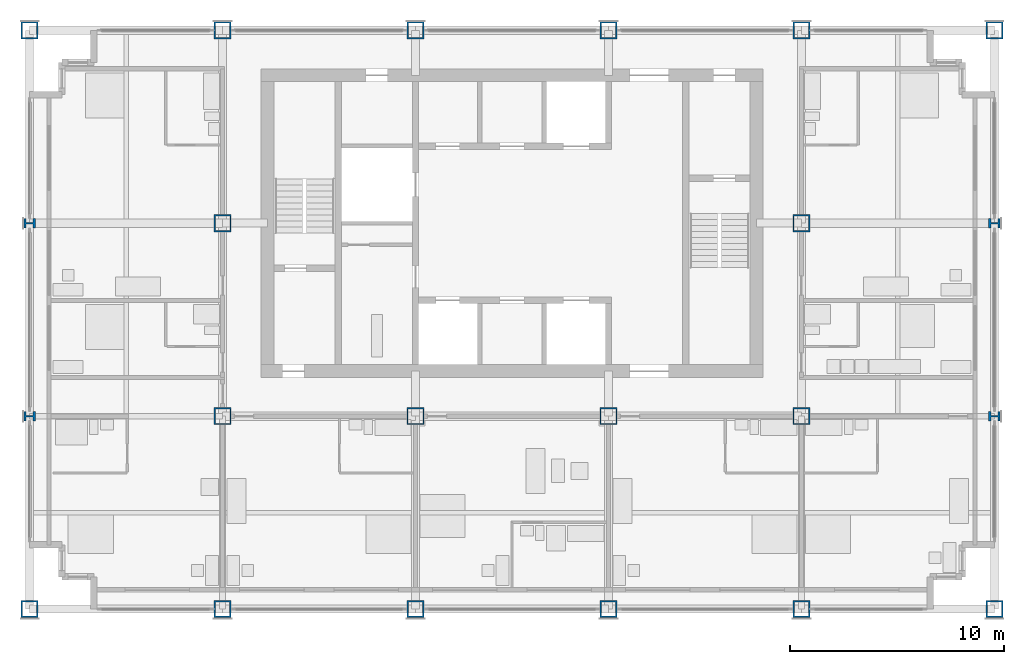
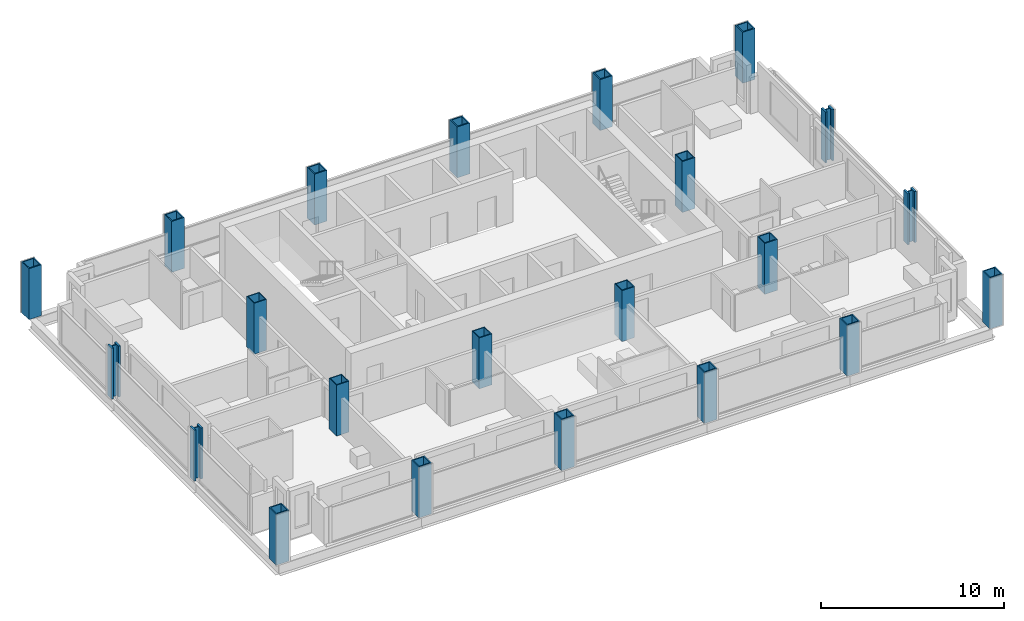
# One storey, part 1 of 13: 22 columns.
"""IFC4 building model written with IfcOpenShell, lengths in metres."""

from ifc_helpers import new_model, si_unit, direction, frame, origin, origin_2d, place, context, subcontext, project, spatial, hollow_rectangle, i_section, extrude, material, material_profile, profile_set, type_object, element, save


model = new_model("IFC4")

# Units and contexts
model_context = context("Model", 3, precision=1e-05, world=origin(), true_north=direction((0.0, 1.0)))
body_context = subcontext(model_context, "Body", "Model", "MODEL_VIEW")
ifc_project = project(units=[si_unit("LENGTHUNIT", "METRE"), si_unit("AREAUNIT", "SQUARE_METRE"), si_unit("VOLUMEUNIT", "CUBIC_METRE"), si_unit("PLANEANGLEUNIT", "RADIAN"), si_unit("MASSUNIT", "GRAM", prefix="KILO")], contexts=[model_context])

# Site, building, storey
site_placement = place(None, origin())
site = spatial("IfcSite", under=ifc_project, at=site_placement, CompositionType="ELEMENT")
building_placement = place(site_placement, origin())
building = spatial("IfcBuilding", under=site, at=building_placement, Name="Loomwork Tower", CompositionType="ELEMENT")
storey_placement = place(building_placement, frame((0.0, 0.0, 177.39990234375)))
storey = spatial("IfcBuildingStorey", under=building, at=storey_placement, Name="L48", CompositionType="ELEMENT", Elevation=177.39990234375)

# Columns
ifc_material_1 = material(Name="Steel ASTM A572 Grade 50 plate", Category="steel")
ifc_material_profile_1 = material_profile(ifc_material_1, hollow_rectangle(XDim=0.800048828125, YDim=0.800048828125, WallThickness=0.070068359375, at=origin_2d()), Name="BOX800x70")
ifc_profile_set_1 = profile_set([ifc_material_profile_1], Name="Steel ASTM A572 Grade 50 plate")
column_type_1 = type_object("IfcColumnType", Name="EXOSKELETON PIER BOX800x70", PredefinedType="COLUMN", material=ifc_profile_set_1)
for number, where, z_axis, x_axis, name in (
    (1, (0.0, 0.0, 0.0), (0.0, 0.0, 1.0), (1.0, 0.0, 0.0), "Exoskeleton Pier D/2 L48"),
    (2, (0.0, 27.0, 0.0), (0.0, 0.0, 1.0), (0.0, 1.0, 0.0), "Exoskeleton Pier G/2 L48"),
    (3, (9.0, 0.0, 0.0), (0.0, 0.0, 1.0), (1.0, 0.0, 0.0), "Exoskeleton Pier D/3 L48"),
    (4, (9.0, 27.0, 0.0), (0.0, 0.0, 1.0), (1.0, 0.0, 0.0), "Exoskeleton Pier G/3 L48"),
    (5, (18.0, 0.0, 0.0), (0.0, 0.0, 1.0), (1.0, 0.0, 0.0), "Exoskeleton Pier D/4 L48"),
    (6, (18.0, 27.0, 0.0), (0.0, 0.0, 1.0), (1.0, 0.0, 0.0), "Exoskeleton Pier G/4 L48"),
    (7, (27.0, 0.0, 0.0), (0.0, 0.0, 1.0), (1.0, 0.0, 0.0), "Exoskeleton Pier D/5 L48"),
    (8, (27.0, 27.0, 0.0), (0.0, 0.0, 1.0), (1.0, 0.0, 0.0), "Exoskeleton Pier G/5 L48"),
    (9, (36.0, 0.0, 0.0), (0.0, 0.0, 1.0), (1.0, 0.0, 0.0), "Exoskeleton Pier D/6 L48"),
    (10, (36.0, 27.0, 0.0), (0.0, 0.0, 1.0), (1.0, 0.0, 0.0), "Exoskeleton Pier G/6 L48"),
    (11, (45.0, 0.0, 0.0), (0.0, 0.0, 1.0), (1.0, 0.0, 0.0), "Exoskeleton Pier D/7 L48"),
    (12, (45.0, 27.0, 0.0), (0.0, 0.0, 1.0), (0.0, 1.0, 0.0), "Exoskeleton Pier G/7 L48"),
):
    element("IfcColumn", number, at=place(storey_placement, frame(where, z_axis=z_axis, x_axis=x_axis)), inside=storey, type_object=column_type_1, Name=name, PredefinedType="COLUMN", context=body_context, shape_type="SweptSolid", body=[
        extrude(hollow_rectangle(XDim=0.800048828125, YDim=0.800048828125, WallThickness=0.070068359375, at=origin_2d()), origin(), (0.0, 0.0, 1.0), 3.400146484375),
    ])
ifc_material_2 = material(Name="Steel ASTM A992", Category="steel")
ifc_material_profile_2 = material_profile(ifc_material_2, i_section(OverallWidth=0.449462890625, OverallDepth=0.548583984375, WebThickness=0.07177734375, FlangeThickness=0.11474609375, at=origin_2d()), Name="W14x665")
ifc_profile_set_2 = profile_set([ifc_material_profile_2], Name="Steel ASTM A992")
column_type_2 = type_object("IfcColumnType", Name="EXOSKELETON PIER W14x665", PredefinedType="COLUMN", material=ifc_profile_set_2)
for number, where, z_axis, x_axis, name in (
    (13, (0.0, 9.0, 0.0), (0.0, 0.0, 1.0), (0.0, 1.0, 0.0), "Exoskeleton Pier E/2 L48"),
    (14, (0.0, 18.0, 0.0), (0.0, 0.0, 1.0), (0.0, 1.0, 0.0), "Exoskeleton Pier F/2 L48"),
    (15, (45.0, 9.0, 0.0), (0.0, 0.0, 1.0), (0.0, 1.0, 0.0), "Exoskeleton Pier E/7 L48"),
    (16, (45.0, 18.0, 0.0), (0.0, 0.0, 1.0), (0.0, 1.0, 0.0), "Exoskeleton Pier F/7 L48"),
):
    element("IfcColumn", number, at=place(storey_placement, frame(where, z_axis=z_axis, x_axis=x_axis)), inside=storey, type_object=column_type_2, Name=name, PredefinedType="COLUMN", context=body_context, shape_type="SweptSolid", body=[
        extrude(i_section(OverallWidth=0.449462890625, OverallDepth=0.548583984375, WebThickness=0.07177734375, FlangeThickness=0.11474609375, at=origin_2d()), origin(), (0.0, 0.0, 1.0), 3.400146484375),
    ])
ifc_material_3 = material(Name="Steel ASTM A572 Grade 50 plate", Category="steel")
ifc_material_profile_3 = material_profile(ifc_material_3, hollow_rectangle(XDim=0.800048828125, YDim=0.800048828125, WallThickness=0.06005859375, at=origin_2d()), Name="BOX800x60")
ifc_profile_set_3 = profile_set([ifc_material_profile_3], Name="Steel ASTM A572 Grade 50 plate")
column_type_3 = type_object("IfcColumnType", Name="TOWER COLUMN BOX800x60", PredefinedType="COLUMN", material=ifc_profile_set_3)
for number, where, z_axis, x_axis, name in (
    (17, (9.0, 9.0, 0.0), (0.0, 0.0, 1.0), (1.0, 0.0, 0.0), "Tower Column E/3 L48"),
    (18, (9.0, 18.0, 0.0), (0.0, 0.0, 1.0), (1.0, 0.0, 0.0), "Tower Column F/3 L48"),
    (19, (18.0, 9.0, 0.0), (0.0, 0.0, 1.0), (1.0, 0.0, 0.0), "Tower Column E/4 L48"),
    (20, (27.0, 9.0, 0.0), (0.0, 0.0, 1.0), (1.0, 0.0, 0.0), "Tower Column E/5 L48"),
    (21, (36.0, 9.0, 0.0), (0.0, 0.0, 1.0), (0.0, 1.0, 0.0), "Tower Column E/6 L48"),
    (22, (36.0, 18.0, 0.0), (0.0, 0.0, 1.0), (0.0, 1.0, 0.0), "Tower Column F/6 L48"),
):
    element("IfcColumn", number, at=place(storey_placement, frame(where, z_axis=z_axis, x_axis=x_axis)), inside=storey, type_object=column_type_3, Name=name, PredefinedType="COLUMN", context=body_context, shape_type="SweptSolid", body=[
        extrude(hollow_rectangle(XDim=0.800048828125, YDim=0.800048828125, WallThickness=0.06005859375, at=origin_2d()), origin(), (0.0, 0.0, 1.0), 3.400146484375),
    ])

save(model, "model.ifc")
